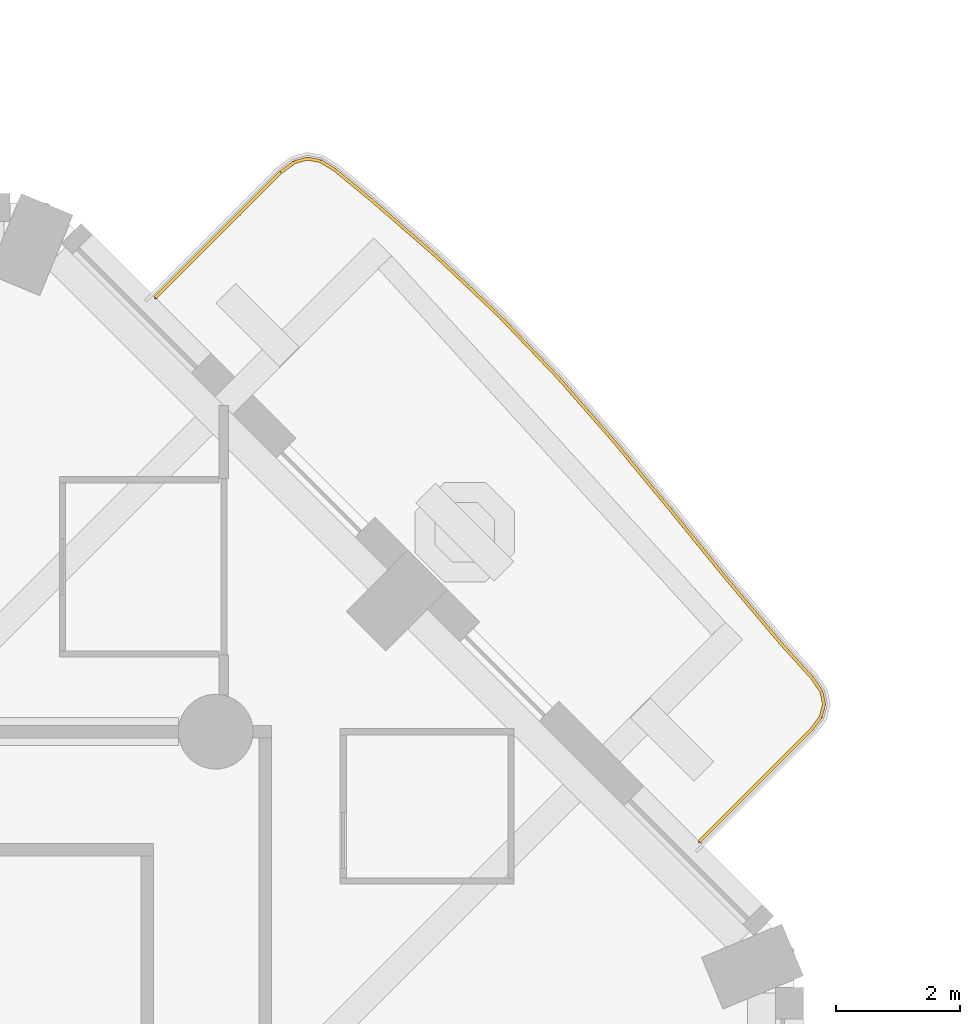
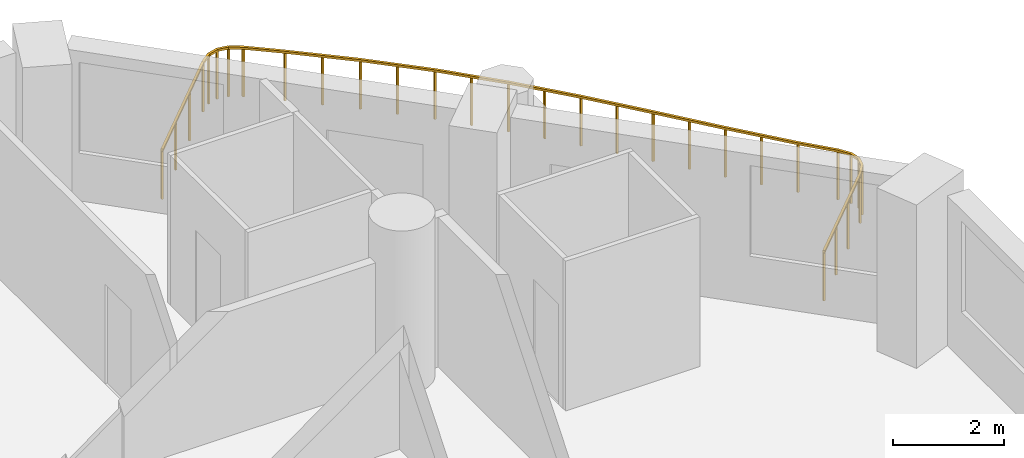
# One storey, part 19 of 20: 1 railing.
"""IFC4 building model written with IfcOpenShell, lengths in metres."""

from ifc_helpers import new_model, si_unit, direction, frame, origin, origin_2d, place, context, subcontext, project, spatial, rectangle, extrude, material, type_object, element, save


model = new_model("IFC4")

# Units and contexts
model_context = context("Model", 3, precision=1e-05, world=origin(), true_north=direction((0.0, 1.0)))
body_context = subcontext(model_context, "Body", "Model", "MODEL_VIEW")
ifc_project = project(units=[si_unit("LENGTHUNIT", "METRE"), si_unit("AREAUNIT", "SQUARE_METRE"), si_unit("VOLUMEUNIT", "CUBIC_METRE"), si_unit("PLANEANGLEUNIT", "RADIAN"), si_unit("MASSUNIT", "GRAM", prefix="KILO")], contexts=[model_context])

# Site, building, storey
site_placement = place(None, origin())
site = spatial("IfcSite", under=ifc_project, at=site_placement, CompositionType="ELEMENT")
building_placement = place(site_placement, origin())
building = spatial("IfcBuilding", under=site, at=building_placement, Name="Cypress Arch Tower", CompositionType="ELEMENT")
storey_placement = place(building_placement, frame((0.0, 0.0, 87.89990234375)))
storey = spatial("IfcBuildingStorey", under=building, at=storey_placement, Name="L16", CompositionType="ELEMENT", Elevation=87.89990234375)

# Railing
ifc_material = material(Name="Powder-coated steel posts and rods, 100 mm clear between rods", Category="steel")
railing_type = type_object("IfcRailingType", Name="Balcony guard GR1100", PredefinedType="GUARDRAIL", material=ifc_material)
railing_placement = place(storey_placement, frame((14.33251953125, 24.479736328125, 0.0)))
element("IfcRailing", 1, at=railing_placement, inside=storey, type_object=railing_type, Name="Balcony guard L16-A07", PredefinedType="GUARDRAIL", context=body_context, shape_type="SweptSolid", body=[
    extrude(rectangle(XDim=0.050048828125, YDim=0.050048828125, at=origin_2d()), frame((0.0, 0.0, 1.0751953125), z_axis=(0.707106781187, 0.707106781187, 0.0), x_axis=(-0.707106781187, 0.707106781187, 0.0)), (0.0, 0.0, 1.0), 2.84912109375),
    extrude(rectangle(XDim=0.050048828125, YDim=0.050048828125, at=origin_2d()), frame((2.0146484375, 2.0146484375, 1.0751953125), z_axis=(0.79835467344, 0.602187525109, 0.0), x_axis=(-0.602187525109, 0.79835467344, 0.0)), (0.0, 0.0, 1.0), 0.267578125),
    extrude(rectangle(XDim=0.050048828125, YDim=0.050048828125, at=origin_2d()), frame((2.228271484375, 2.17578125, 1.0751953125), z_axis=(0.963243658986, 0.268629211783, 0.0), x_axis=(-0.268629211783, 0.963243658986, 0.0)), (0.0, 0.0, 1.0), 0.21728515625),
    extrude(rectangle(XDim=0.050048828125, YDim=0.050048828125, at=origin_2d()), frame((2.4375, 2.234130859375, 1.0751953125), z_axis=(0.984896535635, -0.173143911516, 0.0), x_axis=(0.173143911516, 0.984896535635, 0.0)), (0.0, 0.0, 1.0), 0.217041015625),
    extrude(rectangle(XDim=0.050048828125, YDim=0.050048828125, at=origin_2d()), frame((2.6513671875, 2.196533203125, 1.0751953125), z_axis=(0.853033663852, -0.521855888474, 0.0), x_axis=(0.521855888474, 0.853033663852, 0.0)), (0.0, 0.0, 1.0), 0.267578125),
    extrude(rectangle(XDim=0.050048828125, YDim=0.050048828125, at=origin_2d()), frame((2.879638671875, 2.056884765625, 1.0751953125), z_axis=(0.772512839877, -0.634999143484, 0.0), x_axis=(0.634999143484, 0.772512839877, 0.0)), (0.0, 0.0, 1.0), 0.76171875),
    extrude(rectangle(XDim=0.050048828125, YDim=0.050048828125, at=origin_2d()), frame((3.468017578125, 1.5732421875, 1.0751953125), z_axis=(0.755154621014, -0.655546717147, 0.0), x_axis=(0.655546717147, 0.755154621014, 0.0)), (0.0, 0.0, 1.0), 1.38720703125),
    extrude(rectangle(XDim=0.050048828125, YDim=0.050048828125, at=origin_2d()), frame((4.515625, 0.663818359375, 1.0751953125), z_axis=(0.725989770779, -0.687705498541, 0.0), x_axis=(0.687705498541, 0.725989770779, 0.0)), (0.0, 0.0, 1.0), 1.3837890625),
    extrude(rectangle(XDim=0.050048828125, YDim=0.050048828125, at=origin_2d()), frame((5.520263671875, -0.287841796875, 1.0751953125), z_axis=(0.690958193633, -0.722894718926, 0.0), x_axis=(0.722894718926, 0.690958193633, 0.0)), (0.0, 0.0, 1.0), 1.383544921875),
    extrude(rectangle(XDim=0.050048828125, YDim=0.050048828125, at=origin_2d()), frame((6.476318359375, -1.2880859375, 1.0751953125), z_axis=(0.658168064071, -0.752871037719, 0.0), x_axis=(0.752871037719, 0.658168064071, 0.0)), (0.0, 0.0, 1.0), 1.386962890625),
    extrude(rectangle(XDim=0.050048828125, YDim=0.050048828125, at=origin_2d()), frame((7.38916015625, -2.332275390625, 1.0751953125), z_axis=(0.636205409701, -0.77151971891, 0.0), x_axis=(0.77151971891, 0.636205409701, 0.0)), (0.0, 0.0, 1.0), 1.39111328125),
    extrude(rectangle(XDim=0.050048828125, YDim=0.050048828125, at=origin_2d()), frame((8.274169921875, -3.405517578125, 1.0751953125), z_axis=(0.630724568884, -0.776006777165, 0.0), x_axis=(0.776006777165, 0.630724568884, 0.0)), (0.0, 0.0, 1.0), 1.39306640625),
    extrude(rectangle(XDim=0.050048828125, YDim=0.050048828125, at=origin_2d()), frame((9.15283203125, -4.486572265625, 1.0751953125), z_axis=(0.643627953067, -0.765338525119, 0.0), x_axis=(0.765338525119, 0.643627953067, 0.0)), (0.0, 0.0, 1.0), 1.39208984375),
    extrude(rectangle(XDim=0.050048828125, YDim=0.050048828125, at=origin_2d()), frame((10.048828125, -5.552001953125, 1.0751953125), z_axis=(0.670736750822, -0.741695497558, 0.0), x_axis=(0.741695497558, 0.670736750822, 0.0)), (0.0, 0.0, 1.0), 0.76025390625),
    extrude(rectangle(XDim=0.050048828125, YDim=0.050048828125, at=origin_2d()), frame((10.558837890625, -6.115966796875, 1.0751953125), z_axis=(0.560011474874, -0.828484850802, 0.0), x_axis=(0.828484850802, 0.560011474874, 0.0)), (0.0, 0.0, 1.0), 0.2646484375),
    extrude(rectangle(XDim=0.050048828125, YDim=0.050048828125, at=origin_2d()), frame((10.70703125, -6.335205078125, 1.0751953125), z_axis=(0.207235620923, -0.978291059665, 0.0), x_axis=(0.978291059665, 0.207235620923, 0.0)), (0.0, 0.0, 1.0), 0.2109375),
    extrude(rectangle(XDim=0.050048828125, YDim=0.050048828125, at=origin_2d()), frame((10.750732421875, -6.54150390625, 1.0751953125), z_axis=(-0.256147408618, -0.966637732068, 0.0), x_axis=(0.966637732068, -0.256147408618, 0.0)), (0.0, 0.0, 1.0), 0.210693359375),
    extrude(rectangle(XDim=0.050048828125, YDim=0.050048828125, at=origin_2d()), frame((10.69677734375, -6.7451171875, 1.0751953125), z_axis=(-0.600885730724, -0.799334935188, 0.0), x_axis=(0.799334935188, -0.600885730724, 0.0)), (0.0, 0.0, 1.0), 0.264404296875),
    extrude(rectangle(XDim=0.050048828125, YDim=0.050048828125, at=origin_2d()), frame((10.537841796875, -6.95654296875, 1.0751953125), z_axis=(-0.707058575386, -0.707154983701, 0.0), x_axis=(0.707154983701, -0.707058575386, 0.0)), (0.0, 0.0, 1.0), 2.532470703125),
    extrude(rectangle(XDim=0.0400390625, YDim=0.0400390625, at=origin_2d()), origin(), (0.0, 0.0, 1.0), 1.050048828125),
    extrude(rectangle(XDim=0.0400390625, YDim=0.0400390625, at=origin_2d()), frame((0.671630859375, 0.671630859375, 0.0)), (0.0, 0.0, 1.0), 1.050048828125),
    extrude(rectangle(XDim=0.0400390625, YDim=0.0400390625, at=origin_2d()), frame((1.343017578125, 1.343017578125, 0.0)), (0.0, 0.0, 1.0), 1.050048828125),
    extrude(rectangle(XDim=0.0400390625, YDim=0.0400390625, at=origin_2d()), frame((2.0146484375, 2.0146484375, 0.0)), (0.0, 0.0, 1.0), 1.050048828125),
    extrude(rectangle(XDim=0.0400390625, YDim=0.0400390625, at=origin_2d()), frame((2.228271484375, 2.17578125, 0.0)), (0.0, 0.0, 1.0), 1.050048828125),
    extrude(rectangle(XDim=0.0400390625, YDim=0.0400390625, at=origin_2d()), frame((2.4375, 2.234130859375, 0.0)), (0.0, 0.0, 1.0), 1.050048828125),
    extrude(rectangle(XDim=0.0400390625, YDim=0.0400390625, at=origin_2d()), frame((2.6513671875, 2.196533203125, 0.0)), (0.0, 0.0, 1.0), 1.050048828125),
    extrude(rectangle(XDim=0.0400390625, YDim=0.0400390625, at=origin_2d()), frame((2.879638671875, 2.056884765625, 0.0)), (0.0, 0.0, 1.0), 1.050048828125),
    extrude(rectangle(XDim=0.0400390625, YDim=0.0400390625, at=origin_2d()), frame((3.468017578125, 1.5732421875, 0.0)), (0.0, 0.0, 1.0), 1.050048828125),
    extrude(rectangle(XDim=0.0400390625, YDim=0.0400390625, at=origin_2d()), frame((3.99169921875, 1.11865234375, 0.0)), (0.0, 0.0, 1.0), 1.050048828125),
    extrude(rectangle(XDim=0.0400390625, YDim=0.0400390625, at=origin_2d()), frame((4.515625, 0.663818359375, 0.0)), (0.0, 0.0, 1.0), 1.050048828125),
    extrude(rectangle(XDim=0.0400390625, YDim=0.0400390625, at=origin_2d()), frame((5.01806640625, 0.18798828125, 0.0)), (0.0, 0.0, 1.0), 1.050048828125),
    extrude(rectangle(XDim=0.0400390625, YDim=0.0400390625, at=origin_2d()), frame((5.520263671875, -0.287841796875, 0.0)), (0.0, 0.0, 1.0), 1.050048828125),
    extrude(rectangle(XDim=0.0400390625, YDim=0.0400390625, at=origin_2d()), frame((5.998291015625, -0.7880859375, 0.0)), (0.0, 0.0, 1.0), 1.050048828125),
    extrude(rectangle(XDim=0.0400390625, YDim=0.0400390625, at=origin_2d()), frame((6.476318359375, -1.2880859375, 0.0)), (0.0, 0.0, 1.0), 1.050048828125),
    extrude(rectangle(XDim=0.0400390625, YDim=0.0400390625, at=origin_2d()), frame((6.9326171875, -1.81005859375, 0.0)), (0.0, 0.0, 1.0), 1.050048828125),
    extrude(rectangle(XDim=0.0400390625, YDim=0.0400390625, at=origin_2d()), frame((7.38916015625, -2.332275390625, 0.0)), (0.0, 0.0, 1.0), 1.050048828125),
    extrude(rectangle(XDim=0.0400390625, YDim=0.0400390625, at=origin_2d()), frame((7.83154296875, -2.868896484375, 0.0)), (0.0, 0.0, 1.0), 1.050048828125),
    extrude(rectangle(XDim=0.0400390625, YDim=0.0400390625, at=origin_2d()), frame((8.274169921875, -3.405517578125, 0.0)), (0.0, 0.0, 1.0), 1.050048828125),
    extrude(rectangle(XDim=0.0400390625, YDim=0.0400390625, at=origin_2d()), frame((8.71337890625, -3.946044921875, 0.0)), (0.0, 0.0, 1.0), 1.050048828125),
    extrude(rectangle(XDim=0.0400390625, YDim=0.0400390625, at=origin_2d()), frame((9.15283203125, -4.486572265625, 0.0)), (0.0, 0.0, 1.0), 1.050048828125),
    extrude(rectangle(XDim=0.0400390625, YDim=0.0400390625, at=origin_2d()), frame((9.600830078125, -5.019287109375, 0.0)), (0.0, 0.0, 1.0), 1.050048828125),
    extrude(rectangle(XDim=0.0400390625, YDim=0.0400390625, at=origin_2d()), frame((10.048828125, -5.552001953125, 0.0)), (0.0, 0.0, 1.0), 1.050048828125),
    extrude(rectangle(XDim=0.0400390625, YDim=0.0400390625, at=origin_2d()), frame((10.558837890625, -6.115966796875, 0.0)), (0.0, 0.0, 1.0), 1.050048828125),
    extrude(rectangle(XDim=0.0400390625, YDim=0.0400390625, at=origin_2d()), frame((10.70703125, -6.335205078125, 0.0)), (0.0, 0.0, 1.0), 1.050048828125),
    extrude(rectangle(XDim=0.0400390625, YDim=0.0400390625, at=origin_2d()), frame((10.750732421875, -6.54150390625, 0.0)), (0.0, 0.0, 1.0), 1.050048828125),
    extrude(rectangle(XDim=0.0400390625, YDim=0.0400390625, at=origin_2d()), frame((10.69677734375, -6.7451171875, 0.0)), (0.0, 0.0, 1.0), 1.050048828125),
    extrude(rectangle(XDim=0.0400390625, YDim=0.0400390625, at=origin_2d()), frame((10.537841796875, -6.95654296875, 0.0)), (0.0, 0.0, 1.0), 1.050048828125),
    extrude(rectangle(XDim=0.0400390625, YDim=0.0400390625, at=origin_2d()), frame((9.94091796875, -7.553466796875, 0.0)), (0.0, 0.0, 1.0), 1.050048828125),
    extrude(rectangle(XDim=0.0400390625, YDim=0.0400390625, at=origin_2d()), frame((9.34423828125, -8.150390625, 0.0)), (0.0, 0.0, 1.0), 1.050048828125),
    extrude(rectangle(XDim=0.0400390625, YDim=0.0400390625, at=origin_2d()), frame((8.747314453125, -8.747314453125, 0.0)), (0.0, 0.0, 1.0), 1.050048828125),
])

save(model, "model.ifc")
